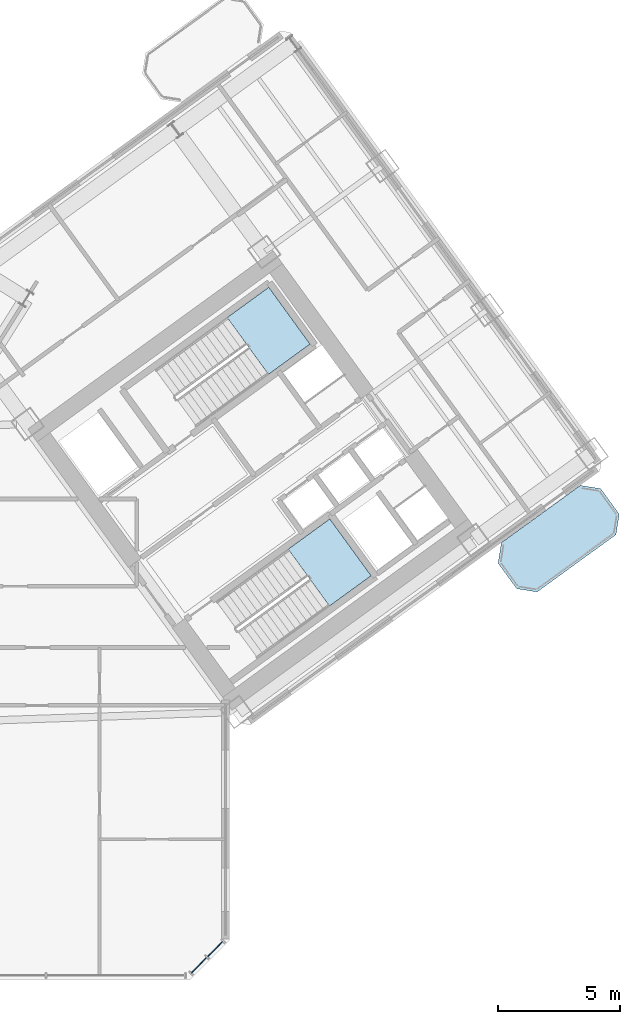
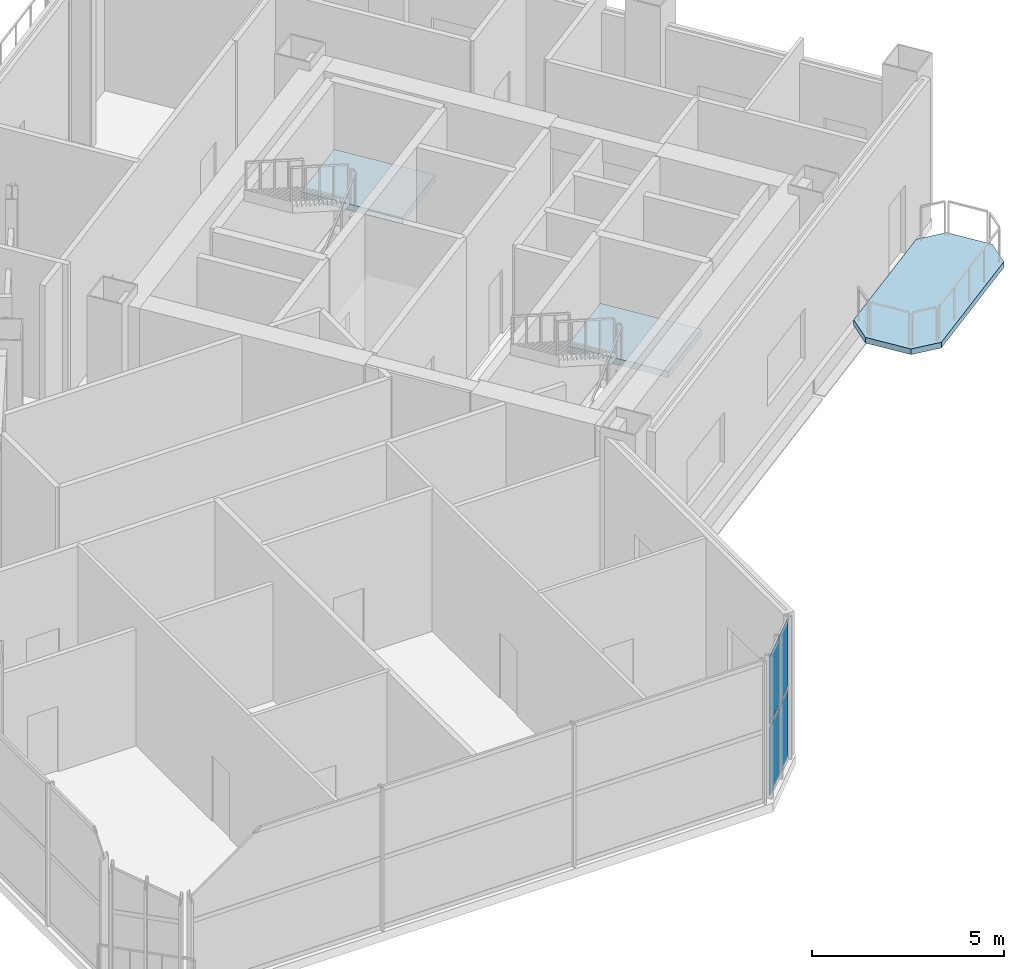
# One storey, part 11 of 22: 4 plates, 3 slabs, 3 elements without a shape of their own.
"""IFC4 building model written with IfcOpenShell, lengths in metres."""

from ifc_helpers import new_model, si_unit, direction, frame, origin, origin_2d, place, context, subcontext, project, spatial, polyline, rectangle, outline, extrude, source, transform, mapped, material, layer, layer_set, type_object, element, aggregate, save


model = new_model("IFC4")

# Units and contexts
model_context = context("Model", 3, precision=1e-05, world=origin(), true_north=direction((0.0, 1.0)))
body_context = subcontext(model_context, "Body", "Model", "MODEL_VIEW")
ifc_project = project(units=[si_unit("LENGTHUNIT", "METRE"), si_unit("AREAUNIT", "SQUARE_METRE"), si_unit("VOLUMEUNIT", "CUBIC_METRE"), si_unit("PLANEANGLEUNIT", "RADIAN"), si_unit("MASSUNIT", "GRAM", prefix="KILO")], contexts=[model_context])

# Site, building, storey
site_placement = place(None, origin())
site = spatial("IfcSite", under=ifc_project, at=site_placement, CompositionType="ELEMENT")
building_placement = place(site_placement, origin())
building = spatial("IfcBuilding", under=site, at=building_placement, Name="Tlacorven Tower", CompositionType="ELEMENT")
storey_placement = place(building_placement, frame((0.0, 0.0, 71.699951171875)))
storey = spatial("IfcBuildingStorey", under=building, at=storey_placement, Name="L18", CompositionType="ELEMENT", Elevation=71.699951171875)

# Slab
ifc_material_1 = material(Name="Precast concrete C45/55", Category="concrete")
ifc_layer_1 = layer(ifc_material_1, 0.179931640625)
ifc_layer_set_1 = layer_set([ifc_layer_1], Name="Precast concrete C45/55")
slab_type_1 = type_object("IfcSlabType", Name="SL-BAL-180", PredefinedType="USERDEFINED", material=ifc_layer_set_1)
slab_1_placement = place(storey_placement, frame((0.0, 0.0, -0.179931640625)))
element("IfcSlab", 1, at=slab_1_placement, inside=storey, type_object=slab_type_1, Name="L18 East Wing Balcony Ribbon OUT", ObjectType="BALCONY SLAB", PredefinedType="USERDEFINED", context=body_context, shape_type="SweptSolid", body=[
    extrude(outline(polyline([(65.025634765625, 17.69482421875), (68.26171875, 20.046142578125), (68.394287109375, 20.884033203125), (67.633056640625, 21.931884765625), (66.795166015625, 22.064453125), (63.55908203125, 19.71337890625), (63.42626953125, 18.875244140625), (64.1875, 17.82763671875), (65.025634765625, 17.69482421875)])), origin(), (0.0, 0.0, 1.0), 0.179931640625),
])

# Stair, slab
ifc_material_2 = material(Name="Concrete C40/50", Category="concrete")
stair_type = type_object("IfcStairType", Name="ST-CORE-DLG", PredefinedType="HALF_TURN_STAIR", material=ifc_material_2)
stair_1_placement = place(storey_placement, origin())
stair_1 = element("IfcStair", 2, at=stair_1_placement, inside=storey, type_object=stair_type, Name="L18 Protected Exit Stair East 1", PredefinedType="HALF_TURN_STAIR")
ifc_layer_2 = layer(ifc_material_2, 0.199951171875)
ifc_layer_set_2 = layer_set([ifc_layer_2], Name="Concrete C40/50")
slab_type_2 = type_object("IfcSlabType", Name="SL-LND-200", PredefinedType="LANDING", material=ifc_layer_set_2)
slab_2_placement = place(storey_placement, frame((0.0, 0.0, 2.199951171875)))
slab_2 = element("IfcSlab", 3, at=slab_2_placement, type_object=slab_type_2, Name="ST-E1 landing 1", PredefinedType="LANDING", context=body_context, shape_type="SweptSolid", body=[
    extrude(outline(polyline([(54.00390625, 26.621337890625), (55.7109375, 27.861572265625), (54.01806640625, 30.19140625), (52.31103515625, 28.951171875), (54.00390625, 26.621337890625)])), origin(), (0.0, 0.0, 1.0), 0.2001953125),
])
aggregate(stair_1, [slab_2])

stair_2_placement = place(storey_placement, origin())
stair_2 = element("IfcStair", 4, at=stair_2_placement, inside=storey, type_object=stair_type, Name="L18 Protected Exit Stair East 2", PredefinedType="HALF_TURN_STAIR")
slab_3_placement = place(storey_placement, frame((0.0, 0.0, 2.199951171875)))
slab_3 = element("IfcSlab", 5, at=slab_3_placement, type_object=slab_type_2, Name="ST-E2 landing 1", PredefinedType="LANDING", context=body_context, shape_type="SweptSolid", body=[
    extrude(outline(polyline([(56.5078125, 17.1181640625), (58.21484375, 18.3583984375), (56.52197265625, 20.6884765625), (54.81494140625, 19.4482421875), (56.5078125, 17.1181640625)])), origin(), (0.0, 0.0, 1.0), 0.2001953125),
])
aggregate(stair_2, [slab_3])

# Curtain wall, plates
ifc_material_3 = material(Name="Dark solar low-E double glazing in aluminium frame", Category="aluminium")
curtain_wall_type = type_object("IfcCurtainWallType", Name="CW-TWR-LOW", PredefinedType="USERDEFINED", material=ifc_material_3)
curtain_wall_placement = place(storey_placement, origin())
curtain_wall = element("IfcCurtainWall", 6, at=curtain_wall_placement, inside=storey, type_object=curtain_wall_type, Name="L18 CW-TWR-LOW Curtain Wall 99", ObjectType="UNITISED CURTAIN WALL", PredefinedType="USERDEFINED")
ifc_material_4 = material(Name="Dark solar double low-E glazing", Category="glass")
ifc_layer_3 = layer(ifc_material_4, 0.031982421875)
ifc_layer_set_3 = layer_set([ifc_layer_3], Name="Dark solar double low-E glazing")
plate_type = type_object("IfcPlateType", Name="CWP-02", PredefinedType="CURTAIN_PANEL", material=ifc_layer_set_3)
shared_shape = source(origin(), body_context, "Body", "SweptSolid", [
    extrude(rectangle(XDim=0.878173828125, YDim=0.031982421875, at=origin_2d()), origin(), (0.0, 0.0, 1.0), 2.137939453125),
])
plate_1_placement = place(storey_placement, frame((51.815673828125, 3.0419921875, 0.06103515625), z_axis=(0.0, 0.0, 1.0), x_axis=(-0.707106781187, -0.707106781187, 0.0)))
plate_1 = element("IfcPlate", 7, at=plate_1_placement, type_object=plate_type, Name="CW-L18-099 Glazing Panel 1", PredefinedType="CURTAIN_PANEL", context=body_context, shape_type="MappedRepresentation", body=[
    mapped(shared_shape, transform((0.0, 0.0, 0.0), scale=1.0)),
])
plate_2_placement = place(storey_placement, frame((51.815673828125, 3.0419921875, 2.3212890625), z_axis=(0.0, 0.0, 1.0), x_axis=(-0.707106781187, -0.707106781187, 0.0)))
plate_2 = element("IfcPlate", 8, at=plate_2_placement, type_object=plate_type, Name="CW-L18-099 Glazing Panel 2", PredefinedType="CURTAIN_PANEL", context=body_context, shape_type="MappedRepresentation", body=[
    mapped(shared_shape, transform((0.0, 0.0, 0.0), scale=1.0)),
])
plate_3_placement = place(storey_placement, frame((51.157958984375, 2.38427734375, 0.06103515625), z_axis=(0.0, 0.0, 1.0), x_axis=(-0.707106781187, -0.707106781187, 0.0)))
plate_3 = element("IfcPlate", 9, at=plate_3_placement, type_object=plate_type, Name="CW-L18-099 Glazing Panel 3", PredefinedType="CURTAIN_PANEL", context=body_context, shape_type="MappedRepresentation", body=[
    mapped(shared_shape, transform((0.0, 0.0, 0.0), scale=1.0)),
])
plate_4_placement = place(storey_placement, frame((51.157958984375, 2.38427734375, 2.3212890625), z_axis=(0.0, 0.0, 1.0), x_axis=(-0.707106781187, -0.707106781187, 0.0)))
plate_4 = element("IfcPlate", 10, at=plate_4_placement, type_object=plate_type, Name="CW-L18-099 Glazing Panel 4", PredefinedType="CURTAIN_PANEL", context=body_context, shape_type="MappedRepresentation", body=[
    mapped(shared_shape, transform((0.0, 0.0, 0.0), scale=1.0)),
])
aggregate(curtain_wall, [plate_1, plate_2, plate_3, plate_4])

save(model, "model.ifc")
